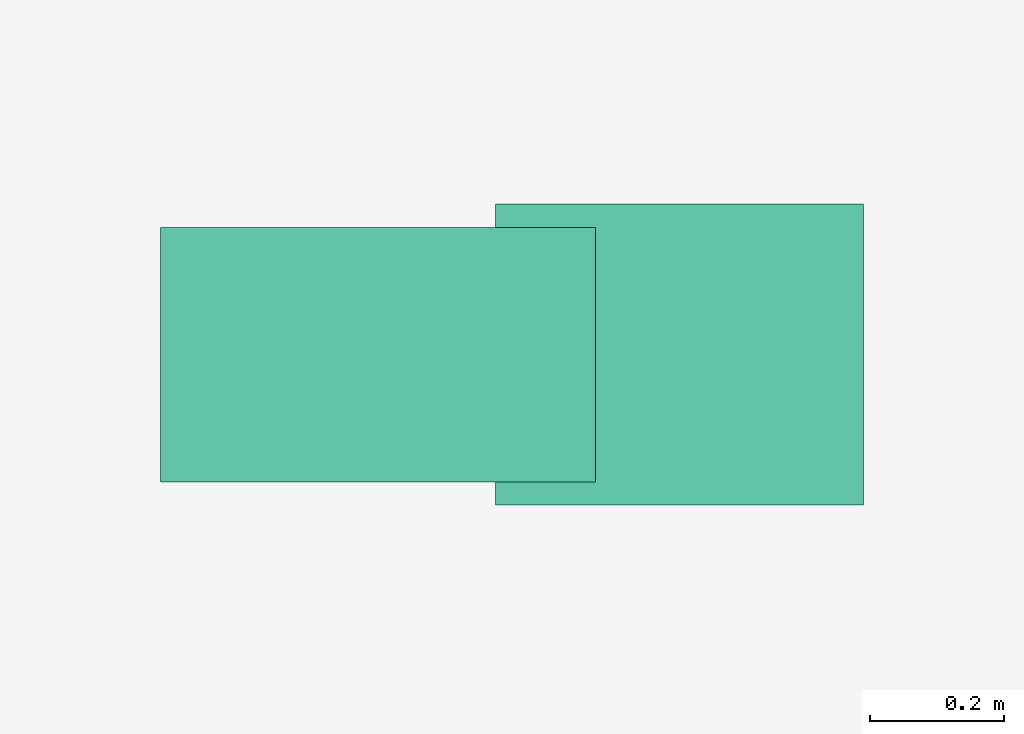
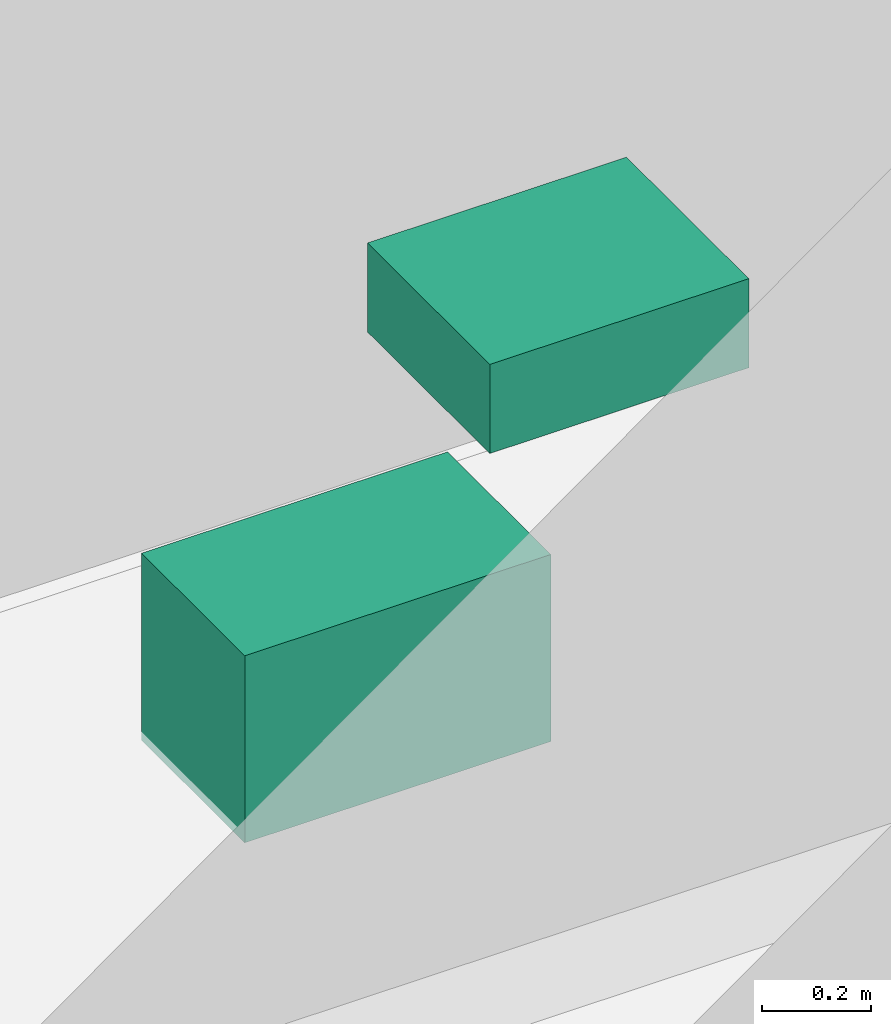
# One storey, part 14 of 14: 2 sanitary terminals.
"""IFC4 building model written with IfcOpenShell, lengths in metres."""

import ifcopenshell
import ifcopenshell.guid

model = None  # the IFC model being written
_history = None  # IfcOwnerHistory: only IFC2X3 demands one
_inside = {}  # id of a spatial element -> (the spatial element, [elements in it])
_under = {}  # id of a project, library or spatial element -> (it, [spatial elements below it])
_declared = {}  # id of a project -> (the project, [libraries it declares])
_typed = {}  # id of a type object -> (the type object, [elements of that type])
_made_of = {}  # id of a material, layer set ... -> (it, [elements and type objects made of it])


def new_model(schema):
    """Start an empty IFC model of exactly this schema.

    Asked for "IFC4X3", IfcOpenShell would pick the latest addendum, in which some entities
    have other attributes; the version numbers below select the first issue.
    IFC2X3 requires an IfcOwnerHistory on every rooted entity: one is made here for all.
    """
    global model, _history
    if schema == "IFC4X3":
        model = ifcopenshell.file(schema_version=(4, 3, 0, 0))
    else:
        model = ifcopenshell.file(schema=schema)
    _inside.clear()
    _under.clear()
    _declared.clear()
    _typed.clear()
    _made_of.clear()
    _history = None
    if model.schema == "IFC2X3":
        org = make("IfcOrganization", Name="unknown")
        user = make(
            "IfcPersonAndOrganization",
            ThePerson=make("IfcPerson", FamilyName="unknown"),
            TheOrganization=org,
        )
        app = make(
            "IfcApplication",
            ApplicationDeveloper=org,
            Version="unknown",
            ApplicationFullName="unknown",
            ApplicationIdentifier="unknown",
        )
        _history = make(
            "IfcOwnerHistory",
            OwningUser=user,
            OwningApplication=app,
            ChangeAction="ADDED",
            CreationDate=0,
        )
    return model


def make(cls, **values):
    """One entity of the class cls with the attributes given. An attribute that is None is left unset."""
    return model.create_entity(
        cls, **{name: value for name, value in values.items() if value is not None}
    )


def rooted(cls, **values):
    """An entity with a GlobalId (a new one), such as an element, a storey or a relation."""
    return make(cls, GlobalId=ifcopenshell.guid.new(), OwnerHistory=_history, **values)


def si_unit(unit_type, name, prefix=None):
    """IfcSIUnit, for example si_unit("LENGTHUNIT", "METRE", prefix="MILLI")."""
    return make("IfcSIUnit", UnitType=unit_type, Prefix=prefix, Name=name)


def assignment(units):
    """IfcUnitAssignment: the units of a project."""
    return None if units is None else make("IfcUnitAssignment", Units=units)


def point(xyz):
    """IfcCartesianPoint."""
    return None if xyz is None else make("IfcCartesianPoint", Coordinates=xyz)


def direction(xyz):
    """IfcDirection."""
    return None if xyz is None else make("IfcDirection", DirectionRatios=xyz)


def frame(location, z_axis=None, x_axis=None):
    """IfcAxis2Placement3D, a coordinate frame: its origin and axes. An axis left out is left unset."""
    return make(
        "IfcAxis2Placement3D",
        Location=point(location),
        Axis=direction(z_axis),
        RefDirection=direction(x_axis),
    )


def frame_2d(location, x_axis=None):
    """IfcAxis2Placement2D, a coordinate frame in the plane: its origin and x axis."""
    return make(
        "IfcAxis2Placement2D", Location=point(location), RefDirection=direction(x_axis)
    )


def origin():
    """The frame at (0, 0, 0) with its axes left unset."""
    return frame((0.0, 0.0, 0.0))


def origin_2d():
    """The frame at (0, 0) in the plane with its x axis left unset."""
    return frame_2d((0.0, 0.0))


def place(relative_to, where):
    """IfcLocalPlacement: puts the frame where relative to a parent placement (None: the world)."""
    return make(
        "IfcLocalPlacement", PlacementRelTo=relative_to, RelativePlacement=where
    )


def context(
    kind, dimensions, precision=None, world=None, true_north=None, identifier=None
):
    """IfcGeometricRepresentationContext, for example the 3D "Model" context."""
    return make(
        "IfcGeometricRepresentationContext",
        ContextIdentifier=identifier,
        ContextType=kind,
        CoordinateSpaceDimension=dimensions,
        Precision=precision,
        WorldCoordinateSystem=world,
        TrueNorth=true_north,
    )


def subcontext(parent, identifier, kind, view, scale=None):
    """IfcGeometricRepresentationSubContext, for example "Body" below "Model"."""
    return make(
        "IfcGeometricRepresentationSubContext",
        ContextIdentifier=identifier,
        ContextType=kind,
        ParentContext=parent,
        TargetScale=scale,
        TargetView=view,
    )


def project(units=None, contexts=None):
    """IfcProject with its units and contexts."""
    return rooted(
        "IfcProject",
        Name="project",
        RepresentationContexts=contexts,
        UnitsInContext=assignment(units),
    )


def spatial(cls, under=None, at=None, **own):
    """A site, building, storey or space (cls), placed at a placement, below another one or the project."""
    s = rooted(cls, ObjectPlacement=at, **own)
    if under is not None:
        _under.setdefault(under.id(), (under, []))[1].append(s)
    return s


def profile(cls, at=None, kind="AREA", **sizes):
    """A parametric profile (cls). Its sizes go by their IFC names, for example OverallWidth=200.0."""
    return make(cls, ProfileType=kind, Position=at, **sizes)


def rectangle(**sizes):
    """IfcRectangleProfileDef."""
    return profile("IfcRectangleProfileDef", **sizes)


def extrude(swept, where, along, depth):
    """IfcExtrudedAreaSolid: the profile swept, set in the frame where, extruded along a direction by depth."""
    return make(
        "IfcExtrudedAreaSolid",
        SweptArea=swept,
        Position=where,
        ExtrudedDirection=direction(along),
        Depth=depth,
    )


def shape(context_of_items, identifier, shape_type, items):
    """IfcShapeRepresentation: the items that make up one representation, for example the "Body"."""
    return make(
        "IfcShapeRepresentation",
        ContextOfItems=context_of_items,
        RepresentationIdentifier=identifier,
        RepresentationType=shape_type,
        Items=items,
    )


def material(Name=None, Category=None):
    """IfcMaterial."""
    return make("IfcMaterial", Name=Name, Category=Category)


def made_of(thing, what):
    """Note that an element or type object is made of a material, layer set ...; save() writes the relation."""
    if what is not None:
        _made_of.setdefault(what.id(), (what, []))[1].append(thing)
    return thing


def type_object(cls, material=None, **own):
    """A type object (cls), such as IfcWallType, which elements share."""
    return made_of(rooted(cls, **own), material)


def element(
    cls,
    number,
    at=None,
    inside=None,
    cuts=None,
    type_object=None,
    material=None,
    context=None,
    identifier="Body",
    shape_type=None,
    held_by="IfcProductDefinitionShape",
    body=None,
    shapes=None,
    **own,
):
    """One element of the class cls, such as IfcWall. Its Tag is "e" and its number.

    at: its placement. inside: the storey or other place that contains it. cuts: it is an
    opening in that element (IfcRelVoidsElement). A single representation is given by context,
    identifier, shape_type and body (its items); several are given by shapes. held_by: the class
    of the entity that holds the representations. save() writes the other relations.
    """
    e = rooted(cls, Tag="e%d" % number, ObjectPlacement=at, **own)
    if body is not None:
        shapes = [shape(context, identifier, shape_type, body)]
    if shapes is not None:
        e.Representation = make(held_by, Representations=shapes)
    if inside is not None:
        _inside.setdefault(inside.id(), (inside, []))[1].append(e)
    if cuts is not None:
        rooted(
            "IfcRelVoidsElement", RelatingBuildingElement=cuts, RelatedOpeningElement=e
        )
    if type_object is not None:
        _typed.setdefault(type_object.id(), (type_object, []))[1].append(e)
    return made_of(e, material)


def aggregate(whole, parts):
    """IfcRelAggregates: a whole, such as a stair, and the parts it consists of."""
    return rooted("IfcRelAggregates", RelatingObject=whole, RelatedObjects=parts)


def save(model, path):
    """Write the relations noted so far, then the file.

    IfcRelAggregates (storeys below a building ...), IfcRelContainedInSpatialStructure (elements
    in a storey), IfcRelDefinesByType, IfcRelAssociatesMaterial and IfcRelDeclares: one each for
    every whole, place, type object, material and project.
    """
    for whole, parts in _under.values():
        aggregate(whole, parts)
    for where, things in _inside.values():
        rooted(
            "IfcRelContainedInSpatialStructure",
            RelatedElements=things,
            RelatingStructure=where,
        )
    for kind, things in _typed.values():
        rooted("IfcRelDefinesByType", RelatedObjects=things, RelatingType=kind)
    for what, things in _made_of.values():
        rooted("IfcRelAssociatesMaterial", RelatedObjects=things, RelatingMaterial=what)
    for by, libraries in _declared.values():
        rooted("IfcRelDeclares", RelatingContext=by, RelatedDefinitions=libraries)
    model.write(path)


model = new_model("IFC4")

# Units and contexts
model_context = context("Model", 3, precision=1e-05, world=origin(), true_north=direction((0.0, 1.0)))
body_context = subcontext(model_context, "Body", "Model", "MODEL_VIEW")
ifc_project = project(units=[si_unit("LENGTHUNIT", "METRE"), si_unit("AREAUNIT", "SQUARE_METRE"), si_unit("VOLUMEUNIT", "CUBIC_METRE"), si_unit("PLANEANGLEUNIT", "RADIAN"), si_unit("MASSUNIT", "GRAM", prefix="KILO")], contexts=[model_context])

# Site, building, storey
site_placement = place(None, origin())
site = spatial("IfcSite", under=ifc_project, at=site_placement, CompositionType="ELEMENT")
building_placement = place(site_placement, origin())
building = spatial("IfcBuilding", under=site, at=building_placement, Name="Savorim Split Tower", CompositionType="ELEMENT")
storey_placement = place(building_placement, frame((0.0, 0.0, 129.300048828125)))
storey = spatial("IfcBuildingStorey", under=building, at=storey_placement, Name="L34", CompositionType="ELEMENT", Elevation=129.300048828125)

# Sanitary terminals
ifc_material = material(Name="Vitreous China Sanitaryware")
sanitary_terminal_type_1 = type_object("IfcSanitaryTerminalType", Name="SAN-WC-PAN", PredefinedType="TOILETPAN", material=ifc_material)
sanitary_terminal_1_placement = place(storey_placement, frame((-4.35009765625, -8.3701171875, 0.0), z_axis=(0.0, 0.0, 1.0), x_axis=(1.0, 0.0, 0.0)))
element("IfcSanitaryTerminal", 1, at=sanitary_terminal_1_placement, inside=storey, type_object=sanitary_terminal_type_1, Name="L34 Public WC WC Pan", PredefinedType="TOILETPAN", context=body_context, shape_type="SweptSolid", body=[
    extrude(rectangle(XDim=0.64990234375, YDim=0.3798828125, at=origin_2d()), origin(), (0.0, 0.0, 1.0), 0.419921875),
])
sanitary_terminal_type_2 = type_object("IfcSanitaryTerminalType", Name="SAN-WHB-550", PredefinedType="WASHHANDBASIN", material=ifc_material)
sanitary_terminal_2_placement = place(storey_placement, frame((-3.89990234375, -8.3701171875, 0.72021484375), z_axis=(0.0, 0.0, 1.0), x_axis=(1.0, 0.0, 0.0)))
element("IfcSanitaryTerminal", 2, at=sanitary_terminal_2_placement, inside=storey, type_object=sanitary_terminal_type_2, Name="L34 Public WC Washhand Basin", PredefinedType="WASHHANDBASIN", context=body_context, shape_type="SweptSolid", body=[
    extrude(rectangle(XDim=0.550048828125, YDim=0.449951171875, at=origin_2d()), origin(), (0.0, 0.0, 1.0), 0.199951171875),
])

save(model, "model.ifc")
